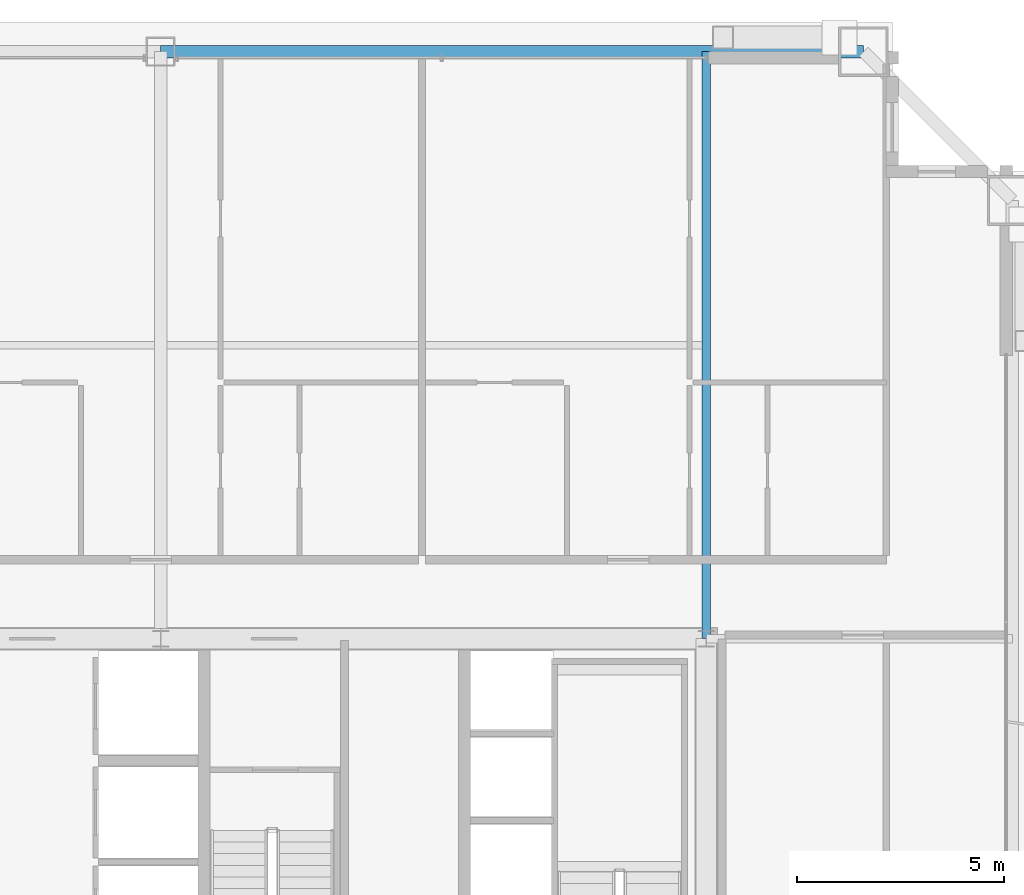
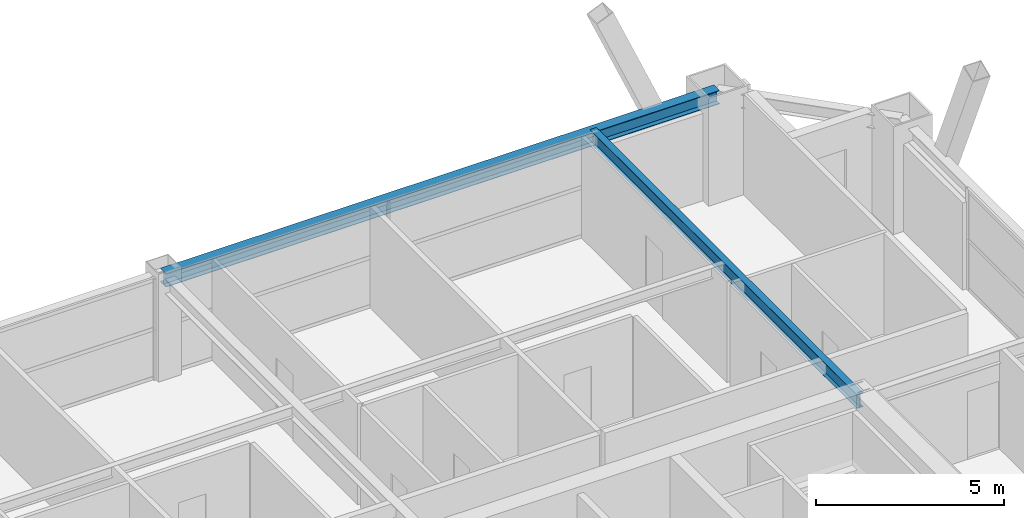
# One storey, part 27 of 35: 2 beams.
"""IFC4 building model written with IfcOpenShell, lengths in metres."""

from ifc_helpers import new_model, si_unit, direction, frame, origin, origin_2d, place, context, subcontext, project, spatial, i_section, extrude, source, transform, mapped, material, material_profile, profile_set, type_object, element, save


model = new_model("IFC4")

# Units and contexts
model_context = context("Model", 3, precision=1e-05, world=origin(), true_north=direction((0.0, 1.0)))
body_context = subcontext(model_context, "Body", "Model", "MODEL_VIEW")
ifc_project = project(units=[si_unit("LENGTHUNIT", "METRE"), si_unit("AREAUNIT", "SQUARE_METRE"), si_unit("VOLUMEUNIT", "CUBIC_METRE"), si_unit("PLANEANGLEUNIT", "RADIAN"), si_unit("MASSUNIT", "GRAM", prefix="KILO"), si_unit("THERMODYNAMICTEMPERATUREUNIT", "KELVIN"), si_unit("POWERUNIT", "WATT")], contexts=[model_context])

# Site, building, storey
site_placement = place(None, origin())
site = spatial("IfcSite", under=ifc_project, at=site_placement, CompositionType="ELEMENT")
building_placement = place(site_placement, origin())
building = spatial("IfcBuilding", under=site, at=building_placement, Name="Yuzanri Waterfront Tower", CompositionType="ELEMENT")
storey_placement = place(building_placement, frame((0.0, 0.0, 248.60009765625)))
storey = spatial("IfcBuildingStorey", under=building, at=storey_placement, Name="L66", CompositionType="ELEMENT", Elevation=248.60009765625)

# Beams
ifc_material_1 = material(Name="Steel Q355B", Category="steel")
ifc_material_profile_1 = material_profile(ifc_material_1, i_section(OverallWidth=0.300048828125, OverallDepth=0.43994140625, WebThickness=0.010986328125, FlangeThickness=0.01806640625, at=origin_2d()), Name="HM 440x300x11x18")
ifc_profile_set_1 = profile_set([ifc_material_profile_1], Name="Steel Q355B")
beam_type_1 = type_object("IfcBeamType", Name="Perimeter Spandrel Q355B HM 440x300", PredefinedType="SPANDREL", material=ifc_profile_set_1)
shared_shape_1 = source(origin(), body_context, "Body", "SweptSolid", [
    extrude(i_section(OverallWidth=0.300048828125, OverallDepth=0.43994140625, WebThickness=0.010986328125, FlangeThickness=0.01806640625, at=origin_2d()), origin(), (0.0, 0.0, 1.0), 17.0),
])
beam_1_placement = place(storey_placement, frame((54.0, 46.39990234375, 3.059814453125), z_axis=(-1.0, 0.0, 0.0), x_axis=(0.0, -1.0, 0.0)))
element("IfcBeam", 1, at=beam_1_placement, inside=storey, type_object=beam_type_1, Name="L66 Perimeter Spandrel N3-N2", PredefinedType="SPANDREL", context=body_context, shape_type="MappedRepresentation", body=[
    mapped(shared_shape_1, transform((0.0, 0.0, 0.0), scale=1.0)),
])
ifc_material_2 = material(Name="Steel Q355B", Category="steel")
ifc_material_profile_2 = material_profile(ifc_material_2, i_section(OverallWidth=0.199951171875, OverallDepth=0.449951171875, WebThickness=0.009033203125, FlangeThickness=0.013916015625, at=origin_2d()), Name="HN 450x200x9x14")
ifc_profile_set_2 = profile_set([ifc_material_profile_2], Name="Steel Q355B")
beam_type_2 = type_object("IfcBeamType", Name="Secondary Floor Beam Q355B HN 450x200", PredefinedType="BEAM", material=ifc_profile_set_2)
shared_shape_2 = source(origin(), body_context, "Body", "SweptSolid", [
    extrude(i_section(OverallWidth=0.199951171875, OverallDepth=0.449951171875, WebThickness=0.009033203125, FlangeThickness=0.013916015625, at=origin_2d()), origin(), (0.0, 0.0, 1.0), 14.199951171875),
])
beam_2_placement = place(storey_placement, frame((50.199951171875, 32.199951171875, 3.054931640625), z_axis=(0.0, 1.0, 0.0), x_axis=(-1.0, 0.0, 0.0)))
element("IfcBeam", 2, at=beam_2_placement, inside=storey, type_object=beam_type_2, Name="L66 North-East Core Line Beam", PredefinedType="BEAM", context=body_context, shape_type="MappedRepresentation", body=[
    mapped(shared_shape_2, transform((0.0, 0.0, 0.0), scale=1.0)),
])

save(model, "model.ifc")
